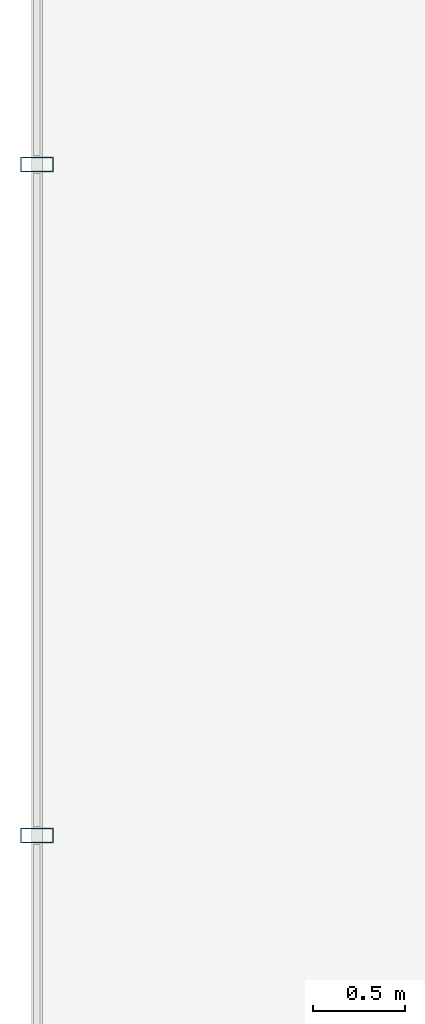
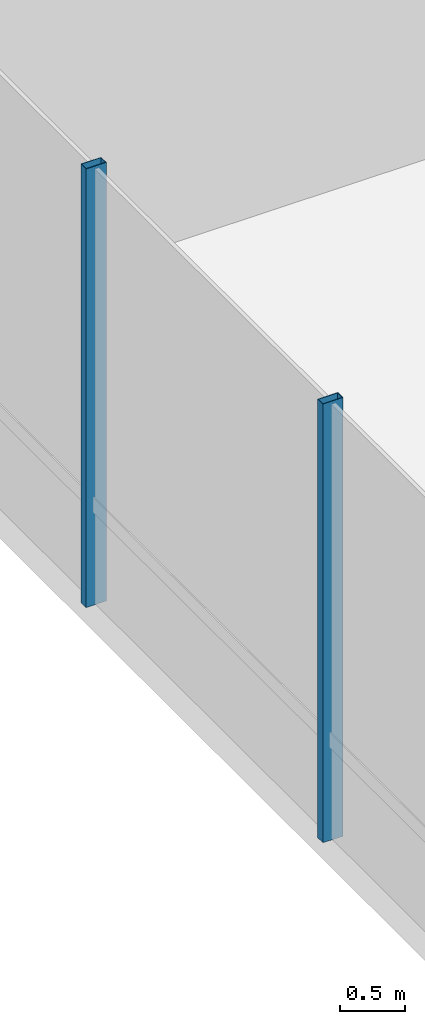
# One storey, part 9 of 37: 2 members, 1 element without a shape of its own.
"""IFC4 building model written with IfcOpenShell, lengths in metres."""

from ifc_helpers import new_model, si_unit, direction, frame, origin, origin_2d, place, context, subcontext, project, spatial, hollow_rectangle, extrude, material, layer, layer_set, material_profile, profile_set, type_object, element, aggregate, save


model = new_model("IFC4")

# Units and contexts
model_context = context("Model", 3, precision=1e-05, world=origin(), true_north=direction((0.0, 1.0)))
body_context = subcontext(model_context, "Body", "Model", "MODEL_VIEW")
ifc_project = project(units=[si_unit("LENGTHUNIT", "METRE"), si_unit("AREAUNIT", "SQUARE_METRE"), si_unit("VOLUMEUNIT", "CUBIC_METRE"), si_unit("PLANEANGLEUNIT", "RADIAN"), si_unit("MASSUNIT", "GRAM", prefix="KILO")], contexts=[model_context])

# Site, building, storey
site_placement = place(None, origin())
site = spatial("IfcSite", under=ifc_project, at=site_placement, CompositionType="ELEMENT")
building_placement = place(site_placement, origin())
building = spatial("IfcBuilding", under=site, at=building_placement, Name="Zarrinselat Tower", CompositionType="ELEMENT")
storey_placement = place(building_placement, frame((0.0, 0.0, 9.52001953125)))
storey = spatial("IfcBuildingStorey", under=building, at=storey_placement, Name="L02", CompositionType="ELEMENT", Elevation=9.52001953125)

# Curtain wall, members
ifc_material_1 = material(Name="Extruded Aluminium Alloy EN AW-6063 T6", Category="aluminium")
ifc_layer = layer(ifc_material_1, 0.2099609375)
ifc_layer_set = layer_set([ifc_layer], Name="Extruded Aluminium Alloy EN AW-6063 T6")
curtain_wall_type = type_object("IfcCurtainWallType", Name="CWS-POD", PredefinedType="NOTDEFINED", material=ifc_layer_set)
curtain_wall_placement = place(storey_placement, origin())
curtain_wall = element("IfcCurtainWall", 1, at=curtain_wall_placement, inside=storey, type_object=curtain_wall_type, Name="L02 Unitised Curtain Wall CW-L02-F7", PredefinedType="NOTDEFINED")
ifc_material_2 = material(Name="Extruded Aluminium Alloy EN AW-6063 T6", Category="aluminium")
ifc_material_profile = material_profile(ifc_material_2, hollow_rectangle(XDim=0.080078125, YDim=0.179931640625, WallThickness=0.0048828125, at=origin_2d()), Name="RHS 180x80x5")
ifc_profile_set = profile_set([ifc_material_profile], Name="Extruded Aluminium Alloy EN AW-6063 T6")
member_type = type_object("IfcMemberType", Name="MEM-CW-MUL", PredefinedType="MULLION", material=ifc_profile_set)
member_1_placement = place(storey_placement, frame((2.39990234375, 36.02001953125, 0.0), z_axis=(0.0, 0.0, 1.0), x_axis=(0.0, -1.0, 0.0)))
member_1 = element("IfcMember", 2, at=member_1_placement, type_object=member_type, Name="CW-L02-F7 Mullion 3", PredefinedType="MULLION", context=body_context, shape_type="SweptSolid", body=[
    extrude(hollow_rectangle(XDim=0.080078125, YDim=0.179931640625, WallThickness=0.0048828125, at=origin_2d()), origin(), (0.0, 0.0, 1.0), 4.139892578125),
])
member_2_placement = place(storey_placement, frame((2.39990234375, 32.360107421875, 0.0), z_axis=(0.0, 0.0, 1.0), x_axis=(0.0, -1.0, 0.0)))
member_2 = element("IfcMember", 3, at=member_2_placement, type_object=member_type, Name="CW-L02-F7 Mullion 4", PredefinedType="MULLION", context=body_context, shape_type="SweptSolid", body=[
    extrude(hollow_rectangle(XDim=0.080078125, YDim=0.179931640625, WallThickness=0.0048828125, at=origin_2d()), origin(), (0.0, 0.0, 1.0), 4.139892578125),
])
aggregate(curtain_wall, [member_1, member_2])

save(model, "model.ifc")
